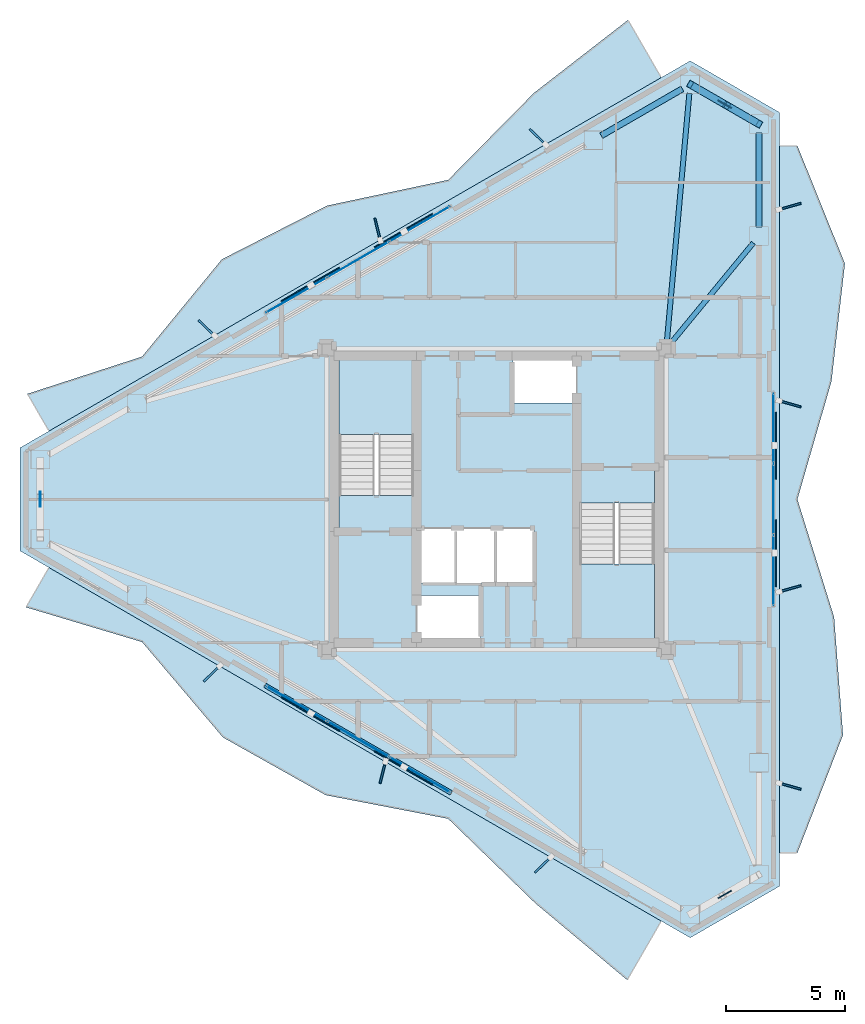
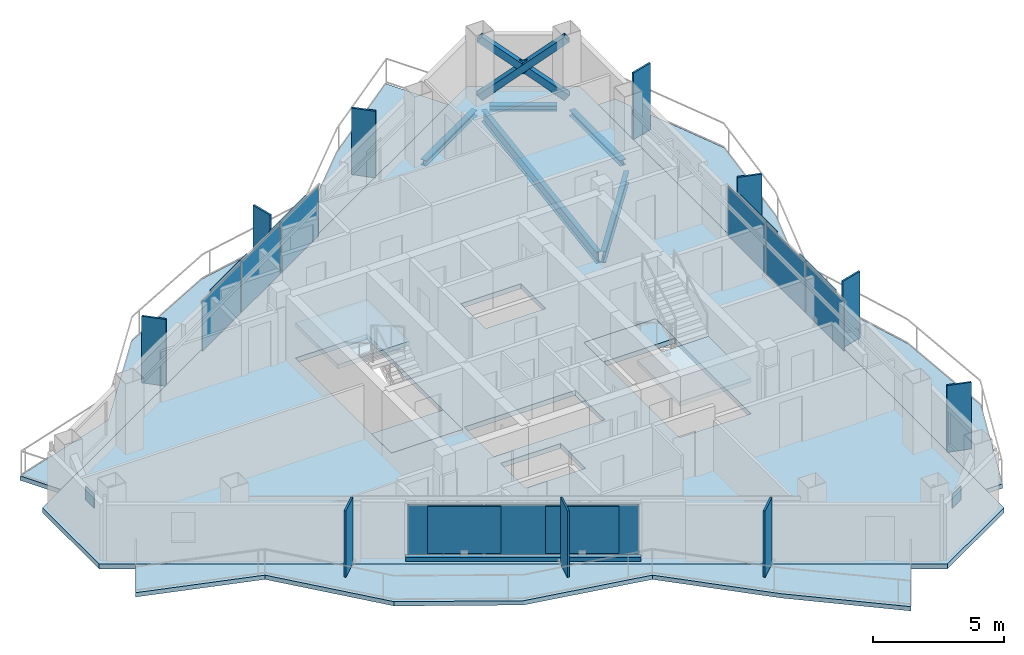
# One storey, part 15 of 21: 28 plates, 8 slabs, 5 beams, 3 members, 1 wall, 5 elements without a shape of their own.
"""IFC4 building model written with IfcOpenShell, lengths in metres."""

from ifc_helpers import new_model, si_unit, direction, frame, frame_2d, origin, origin_2d, place, context, subcontext, project, spatial, polyline, rectangle, hollow_rectangle, i_section, outline, extrude, material, layer, layer_set, material_profile, profile_set, type_object, element, aggregate, save


model = new_model("IFC4")

# Units and contexts
model_context = context("Model", 3, precision=1e-05, world=origin(), true_north=direction((0.0, 1.0)))
body_context = subcontext(model_context, "Body", "Model", "MODEL_VIEW")
ifc_project = project(units=[si_unit("LENGTHUNIT", "METRE"), si_unit("AREAUNIT", "SQUARE_METRE"), si_unit("VOLUMEUNIT", "CUBIC_METRE"), si_unit("PLANEANGLEUNIT", "RADIAN"), si_unit("MASSUNIT", "GRAM", prefix="KILO")], contexts=[model_context])

# Site, building, storey
site_placement = place(None, origin())
site = spatial("IfcSite", under=ifc_project, at=site_placement, CompositionType="ELEMENT")
building_placement = place(site_placement, origin())
building = spatial("IfcBuilding", under=site, at=building_placement, Name="Mersakhor Tower and Convention Hall", CompositionType="ELEMENT")
storey_placement = place(building_placement, frame((0.0, 0.0, 215.10009765625)))
storey = spatial("IfcBuildingStorey", under=building, at=storey_placement, Name="L60", CompositionType="ELEMENT", Elevation=215.10009765625)

# Beams
ifc_material_1 = material(Name="Steel S355", Category="steel")
ifc_material_profile_1 = material_profile(ifc_material_1, i_section(OverallWidth=0.2099609375, OverallDepth=0.53662109375, WebThickness=0.0107421875, FlangeThickness=0.017333984375, at=origin_2d()), Name="UB 533x210x101")
ifc_profile_set_1 = profile_set([ifc_material_profile_1], Name="Steel S355")
beam_type_1 = type_object("IfcBeamType", Name="BM-FB-533", PredefinedType="BEAM", material=ifc_profile_set_1)
beam_1_placement = place(storey_placement, frame((36.125244140625, 33.328857421875, -0.498291015625), z_axis=(0.090367269821, 0.99590850812, 0.0), x_axis=(-0.99590850812, 0.090367269821, 0.0)))
element("IfcBeam", 1, at=beam_1_placement, inside=storey, type_object=beam_type_1, Name="L60 Primary Floor Girder FG-2", PredefinedType="BEAM", context=body_context, shape_type="SweptSolid", body=[
    extrude(i_section(OverallWidth=0.2099609375, OverallDepth=0.53662109375, WebThickness=0.0107421875, FlangeThickness=0.017333984375, at=origin_2d()), origin(), (0.0, 0.0, 1.0), 10.45263671875),
])
beam_2_placement = place(storey_placement, frame((36.278076171875, 33.26611328125, -0.498291015625), z_axis=(0.635588076211, 0.772028365657, 0.0), x_axis=(-0.772028365657, 0.635588076211, 0.0)))
element("IfcBeam", 2, at=beam_2_placement, inside=storey, type_object=beam_type_1, Name="L60 Primary Floor Girder FG-3", PredefinedType="BEAM", context=body_context, shape_type="SweptSolid", body=[
    extrude(i_section(OverallWidth=0.2099609375, OverallDepth=0.53662109375, WebThickness=0.0107421875, FlangeThickness=0.017333984375, at=origin_2d()), origin(), (0.0, 0.0, 1.0), 5.45751953125),
])
ifc_material_2 = material(Name="Steel S355", Category="steel")
ifc_material_profile_2 = material_profile(ifc_material_2, i_section(OverallWidth=0.25634765625, OverallDepth=0.26025390625, WebThickness=0.01025390625, FlangeThickness=0.017333984375, at=origin_2d()), Name="UC 254x254x89")
ifc_profile_set_2 = profile_set([ifc_material_profile_2], Name="Steel S355")
beam_type_2 = type_object("IfcBeamType", Name="BM-SPD-UC254", PredefinedType="SPANDREL", material=ifc_profile_set_2)
beam_3_placement = place(storey_placement, frame((33.380859375, 41.967529296875, -0.360107421875), z_axis=(0.866007153761, 0.500031608635, 0.0), x_axis=(-0.500031608635, 0.866007153761, 0.0)))
element("IfcBeam", 3, at=beam_3_placement, inside=storey, type_object=beam_type_2, Name="L60 Perimeter Spandrel Beam SPB-03", PredefinedType="SPANDREL", context=body_context, shape_type="SweptSolid", body=[
    extrude(i_section(OverallWidth=0.25634765625, OverallDepth=0.26025390625, WebThickness=0.01025390625, FlangeThickness=0.017333984375, at=origin_2d()), origin(), (0.0, 0.0, 1.0), 3.919189453125),
])
beam_4_placement = place(storey_placement, frame((37.43310546875, 43.92724609375, -0.360107421875), z_axis=(0.866036909293, -0.499980071345, 0.0), x_axis=(0.499980071345, 0.866036909293, 0.0)))
element("IfcBeam", 4, at=beam_4_placement, inside=storey, type_object=beam_type_2, Name="L60 Perimeter Spandrel Beam SPB-04", PredefinedType="SPANDREL", context=body_context, shape_type="SweptSolid", body=[
    extrude(i_section(OverallWidth=0.25634765625, OverallDepth=0.26025390625, WebThickness=0.01025390625, FlangeThickness=0.017333984375, at=origin_2d()), origin(), (0.0, 0.0, 1.0), 2.5703125),
])
beam_5_placement = place(storey_placement, frame((39.98828125, 42.072021484375, -0.360107421875), z_axis=(0.0, -1.0, 0.0), x_axis=(1.0, 0.0, 0.0)))
element("IfcBeam", 5, at=beam_5_placement, inside=storey, type_object=beam_type_2, Name="L60 Perimeter Spandrel Beam SPB-05", PredefinedType="SPANDREL", context=body_context, shape_type="SweptSolid", body=[
    extrude(i_section(OverallWidth=0.25634765625, OverallDepth=0.26025390625, WebThickness=0.01025390625, FlangeThickness=0.017333984375, at=origin_2d()), origin(), (0.0, 0.0, 1.0), 3.919189453125),
])

# Members
ifc_material_3 = material(Name="Steel S355", Category="steel")
ifc_material_profile_3 = material_profile(ifc_material_3, hollow_rectangle(XDim=0.300048828125, YDim=0.300048828125, WallThickness=0.01611328125, at=origin_2d()), Name="SHS 300x300x16")
ifc_profile_set_3 = profile_set([ifc_material_profile_3], Name="Steel S355")
member_type = type_object("IfcMemberType", Name="MB-BRC-SHS300", PredefinedType="BRACE", material=ifc_profile_set_3)
member_1_placement = place(storey_placement, frame((37.10400390625, 44.1171875, 0.14990234375), z_axis=(0.670753746549, -0.387270298393, 0.632543379914), x_axis=(0.50001011158, 0.866019565782, 0.0)))
element("IfcMember", 6, at=member_1_placement, inside=storey, type_object=member_type, Name="L60 Chamfer Braced Frame Diagonal CB-1A", PredefinedType="BRACE", context=body_context, shape_type="SweptSolid", body=[
    extrude(hollow_rectangle(XDim=0.300048828125, YDim=0.300048828125, WallThickness=0.01611328125, at=origin_2d()), origin(), (0.0, 0.0, 1.0), 4.300048828125),
])
member_2_placement = place(storey_placement, frame((39.98828125, 42.451904296875, 0.14990234375), z_axis=(-0.670731293101, 0.387290854637, 0.632554603468), x_axis=(-0.500042569876, -0.86600082466, 0.0)))
element("IfcMember", 7, at=member_2_placement, inside=storey, type_object=member_type, Name="L60 Chamfer Braced Frame Diagonal CB-1B Lower Half", PredefinedType="BRACE", context=body_context, shape_type="SweptSolid", body=[
    extrude(hollow_rectangle(XDim=0.300048828125, YDim=0.300048828125, WallThickness=0.01611328125, at=origin_2d()), origin(), (0.0, 0.0, 1.0), 1.98876953125),
])
member_3_placement = place(storey_placement, frame((38.438232421875, 43.346923828125, 1.61181640625), z_axis=(-0.670798814481, 0.387258967921, 0.632502523517), x_axis=(-0.499973944738, -0.866040446274, 0.0)))
element("IfcMember", 8, at=member_3_placement, inside=storey, type_object=member_type, Name="L60 Chamfer Braced Frame Diagonal CB-1B Upper Half", PredefinedType="BRACE", context=body_context, shape_type="SweptSolid", body=[
    extrude(hollow_rectangle(XDim=0.300048828125, YDim=0.300048828125, WallThickness=0.01611328125, at=origin_2d()), origin(), (0.0, 0.0, 1.0), 1.989013671875),
])

# Curtain wall, plates
ifc_material_4 = material(Name="Dark solar low-E aluminium curtain wall", Category="aluminium")
ifc_layer_1 = layer(ifc_material_4, 0.169921875)
ifc_layer_set_1 = layer_set([ifc_layer_1], Name="Dark solar low-E aluminium curtain wall")
curtain_wall_type = type_object("IfcCurtainWallType", Name="CW-SYS-02", PredefinedType="USERDEFINED", material=ifc_layer_set_1)
curtain_wall_1_placement = place(storey_placement, origin())
curtain_wall_1 = element("IfcCurtainWall", 9, at=curtain_wall_1_placement, inside=storey, type_object=curtain_wall_type, Name="L60 Dark-Glass Curtain Wall F1-B2", ObjectType="CURTAIN WALL", PredefinedType="USERDEFINED")
ifc_material_5 = material(Name="Dark solar double glazing", Category="glass")
ifc_layer_2 = layer(ifc_material_5, 0.028076171875)
ifc_layer_set_2 = layer_set([ifc_layer_2], Name="Dark solar double glazing")
plate_type_1 = type_object("IfcPlateType", Name="CWP-GLZ-28", PredefinedType="CURTAIN_PANEL", material=ifc_layer_set_2)
plate_1_placement = place(storey_placement, frame((20.624267578125, 35.29541015625, 0.259765625), z_axis=(0.0, 0.0, 1.0), x_axis=(0.86602088627, 0.500007824483, 0.0)))
plate_1 = element("IfcPlate", 10, at=plate_1_placement, type_object=plate_type_1, Name="CW-02 panel 1.1", PredefinedType="CURTAIN_PANEL", context=body_context, shape_type="SweptSolid", body=[
    extrude(rectangle(XDim=2.88720703125, YDim=0.028076171875, at=origin_2d()), origin(), (0.0, 0.0, 1.0), 2.320068359375),
])
plate_2_placement = place(storey_placement, frame((23.205810546875, 36.785888671875, 0.259765625), z_axis=(0.0, 0.0, 1.0), x_axis=(0.86602088627, 0.500007824483, 0.0)))
plate_2 = element("IfcPlate", 11, at=plate_2_placement, type_object=plate_type_1, Name="CW-02 panel 2.1", PredefinedType="CURTAIN_PANEL", context=body_context, shape_type="SweptSolid", body=[
    extrude(rectangle(XDim=2.924560546875, YDim=0.028076171875, at=origin_2d()), origin(), (0.0, 0.0, 1.0), 2.320068359375),
])
plate_3_placement = place(storey_placement, frame((25.787353515625, 38.2763671875, 0.259765625), z_axis=(0.0, 0.0, 1.0), x_axis=(0.86602088627, 0.500007824483, 0.0)))
plate_3 = element("IfcPlate", 12, at=plate_3_placement, type_object=plate_type_1, Name="CW-02 panel 3.1", PredefinedType="CURTAIN_PANEL", context=body_context, shape_type="SweptSolid", body=[
    extrude(rectangle(XDim=2.88720703125, YDim=0.028076171875, at=origin_2d()), origin(), (0.0, 0.0, 1.0), 2.320068359375),
])
aggregate(curtain_wall_1, [plate_1, plate_2, plate_3])

curtain_wall_2_placement = place(storey_placement, origin())
curtain_wall_2 = element("IfcCurtainWall", 13, at=curtain_wall_2_placement, inside=storey, type_object=curtain_wall_type, Name="L60 Dark-Glass Curtain Wall F2-B2", ObjectType="CURTAIN WALL", PredefinedType="USERDEFINED")
plate_4_placement = place(storey_placement, frame((40.58837890625, 29.73095703125, 0.259765625), z_axis=(0.0, 0.0, 1.0), x_axis=(0.0, -1.0, 0.0)))
plate_4 = element("IfcPlate", 14, at=plate_4_placement, type_object=plate_type_1, Name="CW-02 panel 1.1", PredefinedType="CURTAIN_PANEL", context=body_context, shape_type="SweptSolid", body=[
    extrude(rectangle(XDim=2.88720703125, YDim=0.028076171875, at=origin_2d()), origin(), (0.0, 0.0, 1.0), 2.320068359375),
])
plate_5_placement = place(storey_placement, frame((40.58837890625, 26.75, 0.259765625), z_axis=(0.0, 0.0, 1.0), x_axis=(0.0, -1.0, 0.0)))
plate_5 = element("IfcPlate", 15, at=plate_5_placement, type_object=plate_type_1, Name="CW-02 panel 2.1", PredefinedType="CURTAIN_PANEL", context=body_context, shape_type="SweptSolid", body=[
    extrude(rectangle(XDim=2.924560546875, YDim=0.028076171875, at=origin_2d()), origin(), (0.0, 0.0, 1.0), 2.320068359375),
])
plate_6_placement = place(storey_placement, frame((40.58837890625, 23.76904296875, 0.259765625), z_axis=(0.0, 0.0, 1.0), x_axis=(0.0, -1.0, 0.0)))
plate_6 = element("IfcPlate", 16, at=plate_6_placement, type_object=plate_type_1, Name="CW-02 panel 3.1", PredefinedType="CURTAIN_PANEL", context=body_context, shape_type="SweptSolid", body=[
    extrude(rectangle(XDim=2.88720703125, YDim=0.028076171875, at=origin_2d()), origin(), (0.0, 0.0, 1.0), 2.320068359375),
])
aggregate(curtain_wall_2, [plate_4, plate_5, plate_6])

curtain_wall_3_placement = place(storey_placement, origin())
curtain_wall_3 = element("IfcCurtainWall", 17, at=curtain_wall_3_placement, inside=storey, type_object=curtain_wall_type, Name="L60 Dark-Glass Curtain Wall F3-B2", ObjectType="CURTAIN WALL", PredefinedType="USERDEFINED")
plate_7_placement = place(storey_placement, frame((25.787353515625, 15.2236328125, 0.259765625), z_axis=(0.0, 0.0, 1.0), x_axis=(-0.86602088627, 0.500007824483, 0.0)))
plate_7 = element("IfcPlate", 18, at=plate_7_placement, type_object=plate_type_1, Name="CW-02 panel 1.1", PredefinedType="CURTAIN_PANEL", context=body_context, shape_type="SweptSolid", body=[
    extrude(rectangle(XDim=2.88720703125, YDim=0.028076171875, at=origin_2d()), origin(), (0.0, 0.0, 1.0), 2.320068359375),
])
plate_8_placement = place(storey_placement, frame((23.205810546875, 16.714111328125, 0.259765625), z_axis=(0.0, 0.0, 1.0), x_axis=(-0.86602088627, 0.500007824483, 0.0)))
plate_8 = element("IfcPlate", 19, at=plate_8_placement, type_object=plate_type_1, Name="CW-02 panel 2.1", PredefinedType="CURTAIN_PANEL", context=body_context, shape_type="SweptSolid", body=[
    extrude(rectangle(XDim=2.924560546875, YDim=0.028076171875, at=origin_2d()), origin(), (0.0, 0.0, 1.0), 2.320068359375),
])
plate_9_placement = place(storey_placement, frame((20.624267578125, 18.20458984375, 0.259765625), z_axis=(0.0, 0.0, 1.0), x_axis=(-0.86602088627, 0.500007824483, 0.0)))
plate_9 = element("IfcPlate", 20, at=plate_9_placement, type_object=plate_type_1, Name="CW-02 panel 3.1", PredefinedType="CURTAIN_PANEL", context=body_context, shape_type="SweptSolid", body=[
    extrude(rectangle(XDim=2.88720703125, YDim=0.028076171875, at=origin_2d()), origin(), (0.0, 0.0, 1.0), 2.320068359375),
])
aggregate(curtain_wall_3, [plate_7, plate_8, plate_9])

# Plates
ifc_material_6 = material(Name="Ceramic-clad aluminium Zone 4 terracotta-coral", Category="masonry")
ifc_material_7 = material(Name="Ceramic-clad aluminium Zone 1 cobalt-slate", Category="masonry")
ifc_layer_3 = layer(ifc_material_7, 0.080078125)
ifc_layer_set_3 = layer_set([ifc_layer_3], Name="Ceramic-clad aluminium Zone 1 cobalt-slate")
plate_type_2 = type_object("IfcPlateType", Name="PL-FIN-80", PredefinedType="USERDEFINED", material=ifc_layer_set_3)
for number, where, z_axis, x_axis, name in (
    (21, (16.866455078125, 33.918701171875, -0.000244140625), (0.0, 0.0, 1.0), (-0.719339800339, 0.694658370459, 0.0), "L60 Zone 4 Coloured Brise-Soleil Fin F1-1"),
    (22, (24.021484375, 38.049560546875, -0.000244140625), (0.0, 0.0, 1.0), (-0.2419218956, 0.970295726276, 0.0), "L60 Zone 4 Coloured Brise-Soleil Fin F1-2"),
    (23, (30.722900390625, 41.918701171875, -0.000244140625), (0.0, 0.0, 1.0), (-0.719339800339, 0.694658370459, 0.0), "L60 Zone 4 Coloured Brise-Soleil Fin F1-3"),
    (24, (41.27490234375, 39.007080078125, -0.000244140625), (0.0, 0.0, 1.0), (0.961261695938, 0.275637355817, 0.0), "L60 Zone 4 Coloured Brise-Soleil Fin F2-1"),
    (25, (41.27490234375, 30.7451171875, -0.000244140625), (0.0, 0.0, 1.0), (0.961261695938, -0.275637355817, 0.0), "L60 Zone 4 Coloured Brise-Soleil Fin F2-2"),
    (26, (41.27490234375, 23.007080078125, -0.000244140625), (0.0, 0.0, 1.0), (0.961261695938, 0.275637355817, 0.0), "L60 Zone 4 Coloured Brise-Soleil Fin F2-3"),
    (27, (41.27490234375, 14.7451171875, -0.000244140625), (0.0, 0.0, 1.0), (0.961261695938, -0.275637355817, 0.0), "L60 Zone 4 Coloured Brise-Soleil Fin F2-4"),
    (28, (30.941162109375, 11.455322265625, -0.000244140625), (0.0, 0.0, 1.0), (-0.719339800339, -0.694658370459, 0.0), "L60 Zone 4 Coloured Brise-Soleil Fin F3-1"),
    (29, (24.23974609375, 15.324462890625, -0.000244140625), (0.0, 0.0, 1.0), (-0.2419218956, -0.970295726276, 0.0), "L60 Zone 4 Coloured Brise-Soleil Fin F3-2"),
    (30, (17.084716796875, 19.455322265625, -0.000244140625), (0.0, 0.0, 1.0), (-0.719339800339, -0.694658370459, 0.0), "L60 Zone 4 Coloured Brise-Soleil Fin F3-3"),
):
    element("IfcPlate", number, at=place(storey_placement, frame(where, z_axis=z_axis, x_axis=x_axis)), inside=storey, type_object=plate_type_2, material=ifc_material_6, Name=name, ObjectType="FIN", PredefinedType="USERDEFINED", context=body_context, shape_type="SweptSolid", body=[
        extrude(rectangle(XDim=0.949951171875, YDim=0.080078125, at=origin_2d()), origin(), (0.0, 0.0, 1.0), 3.10009765625),
    ])
ifc_material_8 = material(Name="Steel S460", Category="steel")
ifc_layer_4 = layer(ifc_material_8, 0.0400390625)
ifc_layer_set_4 = layer_set([ifc_layer_4], Name="Steel S460")
plate_type_3 = type_object("IfcPlateType", Name="PL-GUSSET-40", PredefinedType="SHEET", material=ifc_layer_set_4)
for number, where, z_axis, x_axis, name in (
    (31, (38.54638671875, 43.28466796875, 1.18994140625), (0.0, 0.0, 1.0), (-0.866025403784, 0.5, 0.0), "L60 X-Brace Crossing Gusset Node Plate"),
    (32, (38.54638671875, 10.21533203125, 1.18994140625), (0.0, 0.0, 1.0), (0.866025403784, 0.5, 0.0), "L60 X-Brace Crossing Gusset Node Plate"),
    (33, (9.907470703125, 26.75, 1.18994140625), (0.0, 0.0, 1.0), (0.0, -1.0, 0.0), "L60 X-Brace Crossing Gusset Node Plate"),
):
    element("IfcPlate", number, at=place(storey_placement, frame(where, z_axis=z_axis, x_axis=x_axis)), inside=storey, type_object=plate_type_3, Name=name, PredefinedType="SHEET", context=body_context, shape_type="SweptSolid", body=[
        extrude(rectangle(XDim=0.639892578125, YDim=0.0400390625, at=origin_2d()), origin(), (0.0, 0.0, 1.0), 0.639892578125),
    ])
ifc_material_9 = material(Name="Perforated ceramic cobogo solar screen", Category="aluminium")
ifc_layer_5 = layer(ifc_material_9, 0.048095703125)
ifc_layer_set_5 = layer_set([ifc_layer_5], Name="Perforated ceramic cobogo solar screen")
plate_type_4 = type_object("IfcPlateType", Name="PL-SCR-48", PredefinedType="USERDEFINED", material=ifc_layer_set_5)
for number, where, z_axis, x_axis, name in (
    (34, (21.21044921875, 35.742431640625, 0.39990234375), (0.0, 0.0, 1.0), (0.866025403784, 0.5, 0.0), "L60 Perforated Ceramic Solar Screen F1-1"),
    (35, (25.107177734375, 37.9921875, 0.39990234375), (0.0, 0.0, 1.0), (0.866025403784, 0.5, 0.0), "L60 Perforated Ceramic Solar Screen F1-2"),
    (36, (40.682373046875, 28.999755859375, 0.39990234375), (0.0, 0.0, 1.0), (0.0, -1.0, 0.0), "L60 Perforated Ceramic Solar Screen F2-1"),
    (37, (40.682373046875, 24.500244140625, 0.39990234375), (0.0, 0.0, 1.0), (0.0, -1.0, 0.0), "L60 Perforated Ceramic Solar Screen F2-2"),
    (38, (25.107177734375, 15.5078125, 0.39990234375), (0.0, 0.0, 1.0), (-0.866025403784, 0.5, 0.0), "L60 Perforated Ceramic Solar Screen F3-1"),
    (39, (21.21044921875, 17.757568359375, 0.39990234375), (0.0, 0.0, 1.0), (-0.866025403784, 0.5, 0.0), "L60 Perforated Ceramic Solar Screen F3-2"),
):
    element("IfcPlate", number, at=place(storey_placement, frame(where, z_axis=z_axis, x_axis=x_axis)), inside=storey, type_object=plate_type_4, Name=name, ObjectType="SCREEN", PredefinedType="USERDEFINED", context=body_context, shape_type="SweptSolid", body=[
        extrude(rectangle(XDim=2.800048828125, YDim=0.048095703125, at=origin_2d()), origin(), (0.0, 0.0, 1.0), 2.18994140625),
    ])

# Slabs
ifc_material_10 = material(Name="Concrete C45/55", Category="concrete")
ifc_layer_6 = layer(ifc_material_10, 0.199951171875)
ifc_layer_set_6 = layer_set([ifc_layer_6], Name="Concrete C45/55")
slab_type_1 = type_object("IfcSlabType", Name="SL-BAL-200", PredefinedType="FLOOR", material=ifc_layer_set_6)
slab_1_placement = place(storey_placement, frame((0.0, 0.0, -0.2001953125)))
element("IfcSlab", 40, at=slab_1_placement, inside=storey, type_object=slab_type_1, Name="L60 Sinusoidal Balcony Slab Face 1", PredefinedType="FLOOR", context=body_context, shape_type="SweptSolid", body=[
    extrude(outline(polyline([(10.27001953125, 29.60595703125), (35.8916015625, 44.398681640625), (34.500244140625, 46.808837890625), (30.567626953125, 43.758544921875), (26.97607421875, 40.1171875), (21.904541015625, 39.03955078125), (17.506591796875, 36.79541015625), (14.165283203125, 32.720947265625), (9.369873046875, 31.164794921875), (10.27001953125, 29.60595703125)])), origin(), (0.0, 0.0, 1.0), 0.2001953125),
])
slab_2_placement = place(storey_placement, frame((0.0, 0.0, -0.2001953125)))
element("IfcSlab", 41, at=slab_2_placement, inside=storey, type_object=slab_type_1, Name="L60 Sinusoidal Balcony Slab Face 2", PredefinedType="FLOOR", context=body_context, shape_type="SweptSolid", body=[
    extrude(outline(polyline([(40.83837890625, 41.542724609375), (40.83837890625, 11.957275390625), (41.58837890625, 11.957275390625), (43.498046875, 16.88818359375), (43.126220703125, 21.819091796875), (41.58837890625, 26.75), (43.014404296875, 31.680908203125), (43.577880859375, 36.61181640625), (41.590576171875, 41.542724609375), (40.83837890625, 41.542724609375)])), origin(), (0.0, 0.0, 1.0), 0.2001953125),
])
slab_3_placement = place(storey_placement, frame((0.0, 0.0, -0.2001953125)))
element("IfcSlab", 42, at=slab_3_placement, inside=storey, type_object=slab_type_1, Name="L60 Sinusoidal Balcony Slab Face 3", PredefinedType="FLOOR", context=body_context, shape_type="SweptSolid", body=[
    extrude(outline(polyline([(35.8916015625, 9.101318359375), (10.27001953125, 23.89404296875), (9.31005859375, 22.231689453125), (14.165283203125, 20.779052734375), (17.552978515625, 16.784912109375), (21.852783203125, 14.37060546875), (26.97607421875, 13.3828125), (30.626220703125, 9.843017578125), (34.4677734375, 6.635009765625), (35.8916015625, 9.101318359375)])), origin(), (0.0, 0.0, 1.0), 0.2001953125),
])
ifc_material_11 = material(Name="Concrete C40/50", Category="concrete")
ifc_layer_7 = layer(ifc_material_11, 0.22998046875)
ifc_layer_set_7 = layer_set([ifc_layer_7], Name="Concrete C40/50")
slab_type_2 = type_object("IfcSlabType", Name="SL-FLR-230", PredefinedType="FLOOR", material=ifc_layer_set_7)
slab_4_placement = place(storey_placement, frame((0.0, 0.0, -0.22998046875)))
element("IfcSlab", 43, at=slab_4_placement, inside=storey, type_object=slab_type_2, Name="L60 ST-1 Structural Stair Floor Landing", PredefinedType="LANDING", context=body_context, shape_type="SweptSolid", body=[
    extrude(outline(polyline([(25.550048828125, 25.39990234375), (25.550048828125, 26.89990234375), (22.39990234375, 26.89990234375), (22.39990234375, 25.39990234375), (25.550048828125, 25.39990234375)])), origin(), (0.0, 0.0, 1.0), 0.22998046875),
])
slab_5_placement = place(storey_placement, frame((0.0, 0.0, -0.22998046875)))
element("IfcSlab", 44, at=slab_5_placement, inside=storey, type_object=slab_type_2, Name="L60 ST-2 Structural Stair Floor Landing", PredefinedType="LANDING", context=body_context, shape_type="SweptSolid", body=[
    extrude(outline(polyline([(32.449951171875, 28.10009765625), (32.449951171875, 26.60009765625), (35.60009765625, 26.60009765625), (35.60009765625, 28.10009765625), (32.449951171875, 28.10009765625)])), origin(), (0.0, 0.0, 1.0), 0.22998046875),
])
slab_6_placement = place(storey_placement, frame((0.0, 0.0, -0.22998046875)))
element("IfcSlab", 45, at=slab_6_placement, inside=storey, type_object=slab_type_2, Name="Tower L60 Structural Floor Slab", PredefinedType="FLOOR", context=body_context, shape_type="SweptSolid", body=[
    extrude(outline(polyline([(9.0576171875, 28.906005859375), (37.10400390625, 45.0986328125), (40.83837890625, 42.942626953125), (40.83837890625, 10.557373046875), (37.10400390625, 8.4013671875), (9.0576171875, 24.593994140625), (9.0576171875, 28.906005859375)]), holes=[polyline([(25.550048828125, 25.39990234375), (25.550048828125, 32.699951171875), (22.39990234375, 32.699951171875), (22.39990234375, 25.39990234375), (25.550048828125, 25.39990234375)]), polyline([(32.449951171875, 28.10009765625), (32.449951171875, 20.800048828125), (35.60009765625, 20.800048828125), (35.60009765625, 28.10009765625), (32.449951171875, 28.10009765625)]), polyline([(25.679931640625, 20.820068359375), (25.679931640625, 22.719970703125), (28.320068359375, 22.719970703125), (28.320068359375, 20.820068359375), (25.679931640625, 20.820068359375)]), polyline([(29.679931640625, 30.780029296875), (29.679931640625, 32.679931640625), (32.320068359375, 32.679931640625), (32.320068359375, 30.780029296875), (29.679931640625, 30.780029296875)]), polyline([(25.679931640625, 23.25), (25.679931640625, 25.5), (30.570068359375, 25.5), (30.570068359375, 23.25), (25.679931640625, 23.25)])]), origin(), (0.0, 0.0, 1.0), 0.22998046875),
])

# Stair, slab
ifc_material_12 = material(Name="Concrete C45/55", Category="concrete")
stair_type = type_object("IfcStairType", Name="ST-TWR-20R", PredefinedType="HALF_TURN_STAIR", material=ifc_material_12)
stair_1_placement = place(storey_placement, origin())
stair_1 = element("IfcStair", 46, at=stair_1_placement, inside=storey, type_object=stair_type, Name="L60 Tower Protected Exit Stair ST-1", PredefinedType="HALF_TURN_STAIR")
ifc_material_13 = material(Name="Concrete C45/55", Category="concrete")
ifc_layer_8 = layer(ifc_material_13, 0.199951171875)
ifc_layer_set_8 = layer_set([ifc_layer_8], Name="Concrete C45/55")
slab_type_3 = type_object("IfcSlabType", Name="SL-LAND-200", PredefinedType="LANDING", material=ifc_layer_set_8)
slab_7_placement = place(storey_placement, frame((0.0, 0.0, 1.449951171875)))
slab_7 = element("IfcSlab", 47, at=slab_7_placement, type_object=slab_type_3, Name="ST-1 landing 1", PredefinedType="LANDING", context=body_context, shape_type="SweptSolid", body=[
    extrude(outline(polyline([(25.550048828125, 29.465087890625), (25.550048828125, 32.699951171875), (22.39990234375, 32.699951171875), (22.39990234375, 29.465087890625), (25.550048828125, 29.465087890625)])), origin(), (0.0, 0.0, 1.0), 0.199951171875),
])
aggregate(stair_1, [slab_7])

stair_2_placement = place(storey_placement, origin())
stair_2 = element("IfcStair", 48, at=stair_2_placement, inside=storey, type_object=stair_type, Name="L60 Tower Protected Exit Stair ST-2", PredefinedType="HALF_TURN_STAIR")
slab_8_placement = place(storey_placement, frame((0.0, 0.0, 1.449951171875)))
slab_8 = element("IfcSlab", 49, at=slab_8_placement, type_object=slab_type_3, Name="ST-2 landing 1", PredefinedType="LANDING", context=body_context, shape_type="SweptSolid", body=[
    extrude(outline(polyline([(32.449951171875, 24.034912109375), (32.449951171875, 20.800048828125), (35.60009765625, 20.800048828125), (35.60009765625, 24.034912109375), (32.449951171875, 24.034912109375)])), origin(), (0.0, 0.0, 1.0), 0.199951171875),
])
aggregate(stair_2, [slab_8])

# Wall
ifc_material_14 = material(Name="Precast concrete C40/50", Category="concrete")
ifc_layer_9 = layer(ifc_material_14, 0.199951171875)
ifc_layer_set_9 = layer_set([ifc_layer_9], Name="Precast concrete C40/50")
wall_type = type_object("IfcWallType", Name="WL-PAR-200", PredefinedType="PARAPET", material=ifc_layer_set_9)
wall_placement = place(storey_placement, frame((27.102294921875, 14.46435546875, 0.0), z_axis=(0.0, 0.0, 1.0), x_axis=(-0.866020680503, 0.500008180874, 0.0)))
element("IfcWall", 50, at=wall_placement, inside=storey, type_object=wall_type, Name="L60 Curtain Wall Upstand Sill F3-B2", PredefinedType="PARAPET", context=body_context, shape_type="SweptSolid", body=[
    extrude(rectangle(XDim=8.998779296875, YDim=0.199951171875, at=frame_2d((4.49951171875, 0.0))), origin(), (0.0, 0.0, 1.0), 0.199951171875),
])

save(model, "model.ifc")
